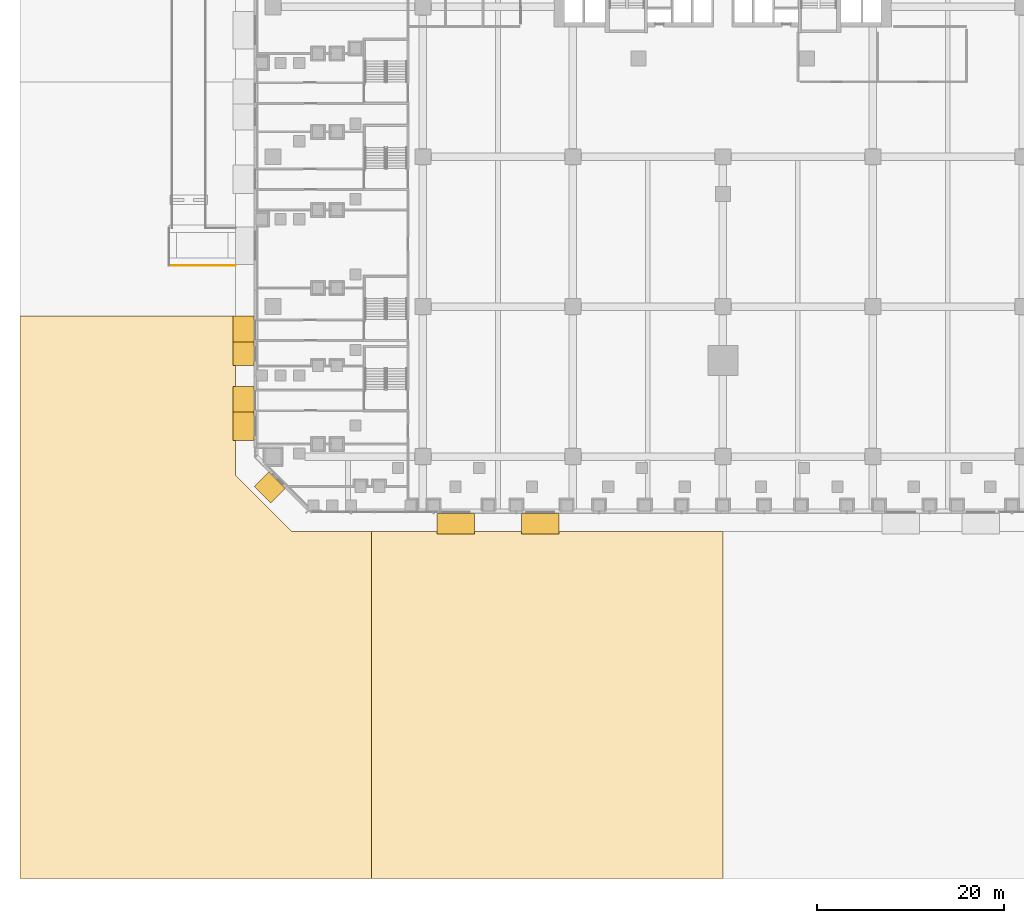
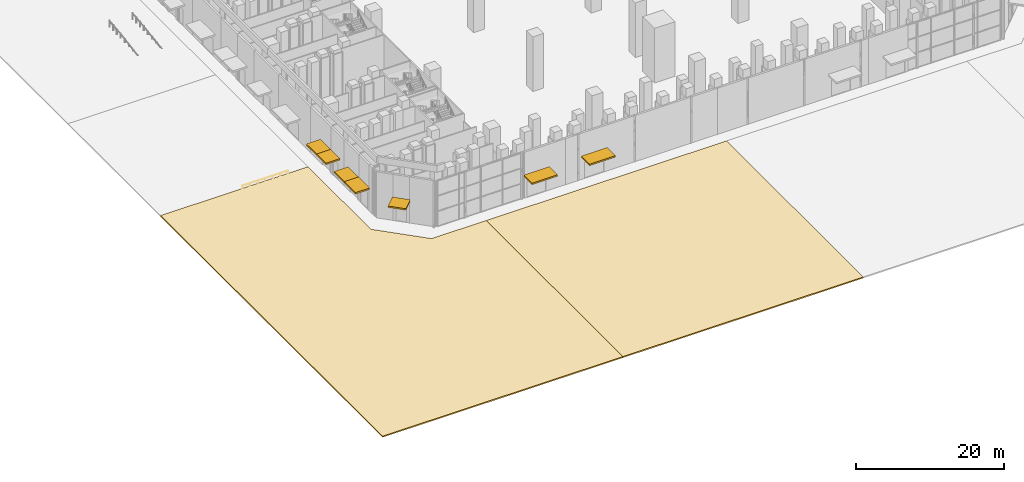
# One storey, part 35 of 51: 7 shading devices, 2 coverings, 1 railing.
"""IFC4 building model written with IfcOpenShell, lengths in metres."""

from ifc_helpers import new_model, si_unit, direction, frame, origin, origin_2d, place, context, subcontext, project, spatial, polyline, rectangle, circle, outline, extrude, material, layer, layer_set, type_object, element, save


model = new_model("IFC4")

# Units and contexts
model_context = context("Model", 3, precision=1e-05, world=origin(), true_north=direction((0.0, 1.0)))
body_context = subcontext(model_context, "Body", "Model", "MODEL_VIEW")
ifc_project = project(units=[si_unit("LENGTHUNIT", "METRE"), si_unit("AREAUNIT", "SQUARE_METRE"), si_unit("VOLUMEUNIT", "CUBIC_METRE"), si_unit("PLANEANGLEUNIT", "RADIAN"), si_unit("MASSUNIT", "GRAM", prefix="KILO")], contexts=[model_context])

# Site, building, storey
site_placement = place(None, origin())
site = spatial("IfcSite", under=ifc_project, at=site_placement, CompositionType="ELEMENT")
building_placement = place(site_placement, origin())
building = spatial("IfcBuilding", under=site, at=building_placement, Name="Calabash Gate Tower", CompositionType="ELEMENT")
storey_placement = place(building_placement, origin())
storey = spatial("IfcBuildingStorey", under=building, at=storey_placement, Name="L00", CompositionType="ELEMENT", Elevation=0.0)

# Shading devices
ifc_material_1 = material(Name="Steel framed canopy with laminated glass", Category="steel")
ifc_layer_1 = layer(ifc_material_1, 0.25)
ifc_layer_set_1 = layer_set([ifc_layer_1], Name="Entrance canopy 250")
shading_device_type = type_object("IfcShadingDeviceType", Name="Entrance canopy 250", PredefinedType="AWNING", material=ifc_layer_set_1)
for number, where, z_axis, x_axis, name in (
    (1, (-28.49609375, -47.14990234375, 3.60009765625), (0.0, 0.0, 1.0), (1.0, 0.0, 0.0), "Entrance canopy 1"),
    (2, (-19.49609375, -47.14990234375, 3.60009765625), (0.0, 0.0, 1.0), (1.0, 0.0, 0.0), "Entrance canopy 2"),
):
    element("IfcShadingDevice", number, at=place(storey_placement, frame(where, z_axis=z_axis, x_axis=x_axis)), inside=storey, type_object=shading_device_type, Name=name, PredefinedType="AWNING", context=body_context, shape_type="SweptSolid", body=[
        extrude(rectangle(XDim=4.0, YDim=2.199951171875, at=origin_2d()), origin(), (0.0, 0.0, 1.0), 0.25),
    ])
shading_device_1_placement = place(storey_placement, frame((-51.14990234375, -26.5, 3.60009765625), z_axis=(0.0, 0.0, 1.0), x_axis=(0.0, -1.0, 0.0)))
element("IfcShadingDevice", 3, at=shading_device_1_placement, inside=storey, type_object=shading_device_type, Name="Entrance canopy 27", PredefinedType="AWNING", context=body_context, shape_type="SweptSolid", body=[
    extrude(rectangle(XDim=3.0, YDim=2.199951171875, at=origin_2d()), origin(), (0.0, 0.0, 1.0), 0.25),
])
shading_device_2_placement = place(storey_placement, frame((-51.14990234375, -29.00390625, 3.60009765625), z_axis=(0.0, 0.0, 1.0), x_axis=(0.0, -1.0, 0.0)))
element("IfcShadingDevice", 4, at=shading_device_2_placement, inside=storey, type_object=shading_device_type, Name="Entrance canopy 28", PredefinedType="AWNING", context=body_context, shape_type="SweptSolid", body=[
    extrude(rectangle(XDim=2.5, YDim=2.199951171875, at=origin_2d()), origin(), (0.0, 0.0, 1.0), 0.25),
])
for number, where, z_axis, x_axis, name in (
    (5, (-51.14990234375, -34.0, 3.60009765625), (0.0, 0.0, 1.0), (0.0, -1.0, 0.0), "Entrance canopy 29"),
    (6, (-51.14990234375, -36.75390625, 3.60009765625), (0.0, 0.0, 1.0), (0.0, -1.0, 0.0), "Entrance canopy 30"),
):
    element("IfcShadingDevice", number, at=place(storey_placement, frame(where, z_axis=z_axis, x_axis=x_axis)), inside=storey, type_object=shading_device_type, Name=name, PredefinedType="AWNING", context=body_context, shape_type="SweptSolid", body=[
        extrude(rectangle(XDim=3.0, YDim=2.199951171875, at=origin_2d()), origin(), (0.0, 0.0, 1.0), 0.25),
    ])
shading_device_3_placement = place(storey_placement, frame((-48.335693359375, -43.290771484375, 3.60009765625), z_axis=(0.0, 0.0, 1.0), x_axis=(0.707106781187, -0.707106781187, 0.0)))
element("IfcShadingDevice", 7, at=shading_device_3_placement, inside=storey, type_object=shading_device_type, Name="Entrance canopy 31", PredefinedType="AWNING", context=body_context, shape_type="SweptSolid", body=[
    extrude(rectangle(XDim=2.5, YDim=2.199951171875, at=origin_2d()), origin(), (0.0, 0.0, 1.0), 0.25),
])

# Coverings
ifc_material_2 = material(Name="Granite paving on compacted gravel", Category="masonry")
ifc_layer_2 = layer(ifc_material_2, 0.199951171875)
ifc_layer_set_2 = layer_set([ifc_layer_2], Name="Granite paving slab 200")
covering_type = type_object("IfcCoveringType", Name="Granite paving slab 200", PredefinedType="FLOORING", material=ifc_layer_set_2)
covering_1_placement = place(storey_placement, frame((0.0, 0.0, -0.199951171875)))
element("IfcCovering", 8, at=covering_1_placement, inside=storey, type_object=covering_type, Name="Plaza paving 1", PredefinedType="FLOORING", context=body_context, shape_type="SweptSolid", body=[
    extrude(outline(polyline([(-37.5, -85.0), (-37.5, -48.0), (-46.0, -48.0), (-52.0, -42.0), (-52.0, -25.0), (-75.0, -25.0), (-75.0, -85.0), (-37.5, -85.0)])), origin(), (0.0, 0.0, 1.0), 0.199951171875),
])
covering_2_placement = place(storey_placement, frame((0.0, 0.0, -0.199951171875)))
element("IfcCovering", 9, at=covering_2_placement, inside=storey, type_object=covering_type, Name="Plaza paving 4", PredefinedType="FLOORING", context=body_context, shape_type="SweptSolid", body=[
    extrude(outline(polyline([(0.0, -85.0), (0.0, -48.0), (-37.5, -48.0), (-37.5, -85.0), (0.0, -85.0)])), origin(), (0.0, 0.0, 1.0), 0.199951171875),
])

# Railing
ifc_material_3 = material(Name="Galvanised steel balusters", Category="steel")
railing_type = type_object("IfcRailingType", Name="Ramp guard RG1100", PredefinedType="GUARDRAIL", material=ifc_material_3)
railing_placement = place(storey_placement, frame((-59.10009765625, -19.60009765625, -5.0)))
element("IfcRailing", 10, at=railing_placement, inside=storey, type_object=railing_type, Name="Exit Ramp landing guard", PredefinedType="GUARDRAIL", context=body_context, shape_type="SweptSolid", body=[
    extrude(circle(Radius=0.02392578125, at=origin_2d()), frame((0.0, 0.0, 1.076171875), z_axis=(1.0, 0.0, 0.0), x_axis=(0.0, 1.0, 0.0)), (0.0, 0.0, 1.0), 7.10009765625),
    extrude(circle(Radius=0.02099609375, at=origin_2d()), origin(), (0.0, 0.0, 1.0), 1.052001953125),
    extrude(circle(Radius=0.02099609375, at=origin_2d()), frame((1.183349609375, 0.0, 0.0)), (0.0, 0.0, 1.0), 1.052001953125),
    extrude(circle(Radius=0.02099609375, at=origin_2d()), frame((2.36669921875, 0.0, 0.0)), (0.0, 0.0, 1.0), 1.052001953125),
    extrude(circle(Radius=0.02099609375, at=origin_2d()), frame((3.550048828125, 0.0, 0.0)), (0.0, 0.0, 1.0), 1.052001953125),
    extrude(circle(Radius=0.02099609375, at=origin_2d()), frame((4.7333984375, 0.0, 0.0)), (0.0, 0.0, 1.0), 1.052001953125),
    extrude(circle(Radius=0.02099609375, at=origin_2d()), frame((5.916748046875, 0.0, 0.0)), (0.0, 0.0, 1.0), 1.052001953125),
    extrude(circle(Radius=0.02099609375, at=origin_2d()), frame((7.10009765625, 0.0, 0.0)), (0.0, 0.0, 1.0), 1.052001953125),
])

save(model, "model.ifc")
